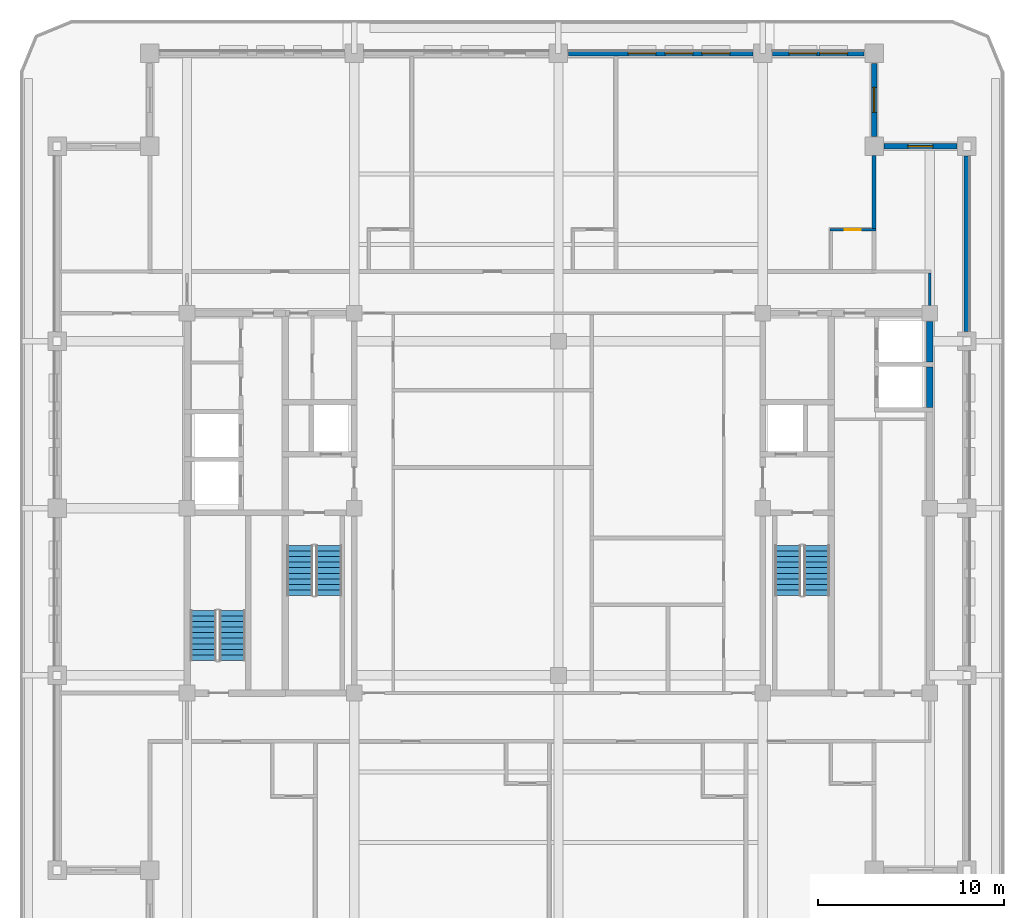
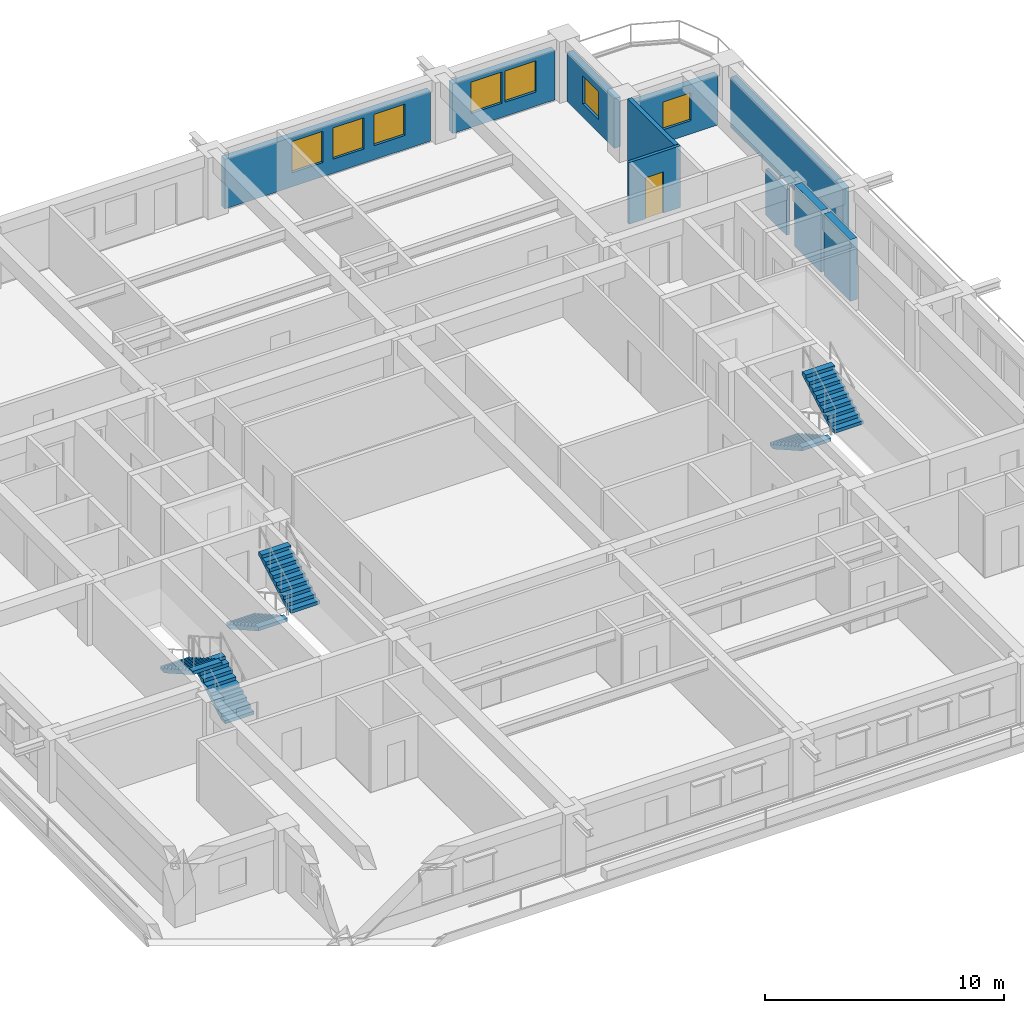
# One storey, part 7 of 14: 10 walls, 7 windows, 6 stair flights, 1 door, 8 openings, 3 elements without a shape of their own.
"""IFC4 building model written with IfcOpenShell, lengths in metres."""

from ifc_helpers import new_model, si_unit, direction, frame, frame_2d, origin, place, context, subcontext, project, spatial, polyline, rectangle, outline, extrude, material, layer, layer_set, type_object, element, fill, aggregate, save


model = new_model("IFC4")

# Units and contexts
model_context = context("Model", 3, precision=1e-05, world=origin(), true_north=direction((0.0, 1.0)))
body_context = subcontext(model_context, "Body", "Model", "MODEL_VIEW")
ifc_project = project(units=[si_unit("LENGTHUNIT", "METRE"), si_unit("AREAUNIT", "SQUARE_METRE"), si_unit("VOLUMEUNIT", "CUBIC_METRE"), si_unit("PLANEANGLEUNIT", "RADIAN"), si_unit("MASSUNIT", "GRAM", prefix="KILO")], contexts=[model_context])

# Site, building, storey
site_placement = place(None, origin())
site = spatial("IfcSite", under=ifc_project, at=site_placement, CompositionType="ELEMENT")
building_placement = place(site_placement, origin())
building = spatial("IfcBuilding", under=site, at=building_placement, Name="Zulmaris Gate Convention Tower", CompositionType="ELEMENT")
storey_placement = place(building_placement, frame((0.0, 0.0, 198.260009765625)))
storey = spatial("IfcBuildingStorey", under=building, at=storey_placement, Name="L51", CompositionType="ELEMENT", Elevation=198.260009765625)

# Walls
ifc_material_1 = material(Name="Concrete C55/67", Category="concrete")
ifc_layer_1 = layer(ifc_material_1, 0.35009765625, Name="Concrete C55/67")
ifc_layer_set_1 = layer_set([ifc_layer_1], Name="Concrete C55/67")
wall_type_1 = type_object("IfcWallType", Name="CORE-350", PredefinedType="SHEAR", material=ifc_layer_set_1)
wall_1_placement = place(storey_placement, frame((20.0, 5.427001953125, 0.0), z_axis=(0.0, 0.0, 1.0), x_axis=(0.0, 1.0, 0.0)))
element("IfcWall", 1, at=wall_1_placement, inside=storey, type_object=wall_type_1, Name="WL-L51-071", PredefinedType="SHEAR", context=body_context, shape_type="SweptSolid", body=[
    extrude(rectangle(XDim=2.196044921875, YDim=0.35009765625, at=frame_2d((1.09814453125, 0.0))), origin(), (0.0, 0.0, 1.0), 3.14990234375),
])
wall_2_placement = place(storey_placement, frame((20.0, 7.876953125, 0.0), z_axis=(0.0, 0.0, 1.0), x_axis=(0.0, 1.0, 0.0)))
element("IfcWall", 2, at=wall_2_placement, inside=storey, type_object=wall_type_1, Name="WL-L51-072", PredefinedType="SHEAR", context=body_context, shape_type="SweptSolid", body=[
    extrude(rectangle(XDim=2.194091796875, YDim=0.35009765625, at=frame_2d((1.09716796875, 0.0))), origin(), (0.0, 0.0, 1.0), 3.14990234375),
])

# Wall, opening, door
ifc_material_2 = material(Name="Gypsum Metal Stud Partition")
ifc_layer_2 = layer(ifc_material_2, 0.14990234375, Name="Gypsum Metal Stud Partition")
ifc_layer_set_2 = layer_set([ifc_layer_2], Name="Gypsum Metal Stud Partition")
wall_type_2 = type_object("IfcWallType", Name="PART-150", PredefinedType="PARTITIONING", material=ifc_layer_set_2)
wall_3_placement = place(storey_placement, frame((14.625, 15.0, 0.0), z_axis=(0.0, 0.0, 1.0), x_axis=(1.0, 0.0, 0.0)))
wall_3 = element("IfcWall", 3, at=wall_3_placement, inside=storey, type_object=wall_type_2, Name="WL-L51-040", PredefinedType="PARTITIONING", context=body_context, shape_type="SweptSolid", body=[
    extrude(rectangle(XDim=2.47509765625, YDim=0.14990234375, at=frame_2d((1.237548828125, 0.0))), origin(), (0.0, 0.0, 1.0), 3.14990234375),
])
opening_1_placement = place(wall_3_placement, frame((0.800048828125, 0.0, 0.0)))
opening_1 = element("IfcOpeningElement", 4, at=opening_1_placement, cuts=wall_3, Name="Opening D-17", PredefinedType="OPENING", context=body_context, shape_type="SweptSolid", body=[
    extrude(rectangle(XDim=0.85009765625, YDim=2.10009765625, at=frame_2d((0.425048828125, 1.050048828125))), frame((0.0, 0.0849609375, 0.0), z_axis=(0.0, -1.0, 0.0), x_axis=(1.0, 0.0, 0.0)), (0.0, 0.0, 1.0), 0.169921875),
])
ifc_material_3 = material(Name="Moisture-Resistant Hardwood Timber", Category="wood")
door_type = type_object("IfcDoorType", Name="DR-850", OperationType="NOTDEFINED", PredefinedType="DOOR", material=ifc_material_3)
door_placement = place(opening_1_placement, origin())
door = element("IfcDoor", 5, at=door_placement, inside=storey, type_object=door_type, Name="L51 En-Suite Door 30", OperationType="SINGLE_SWING_LEFT", OverallHeight=2.10009765625, OverallWidth=0.85009765625, PredefinedType="DOOR", context=body_context, shape_type="SweptSolid", body=[
    extrude(rectangle(XDim=0.85009765625, YDim=2.10009765625, at=frame_2d((0.425048828125, 1.050048828125))), frame((0.0, 0.02490234375, 0.0), z_axis=(0.0, -1.0, 0.0), x_axis=(1.0, 0.0, 0.0)), (0.0, 0.0, 1.0), 0.050048828125),
])
fill(opening_1, door)

# Walls
wall_4_placement = place(storey_placement, frame((20.0, 10.930908203125, 0.0), z_axis=(0.0, 0.0, 1.0), x_axis=(0.0, 1.0, 0.0)))
element("IfcWall", 6, at=wall_4_placement, inside=storey, type_object=wall_type_2, Name="WL-L51-115", PredefinedType="PARTITIONING", context=body_context, shape_type="SweptSolid", body=[
    extrude(rectangle(XDim=1.7412109375, YDim=0.14990234375, at=frame_2d((0.87060546875, 0.0))), origin(), (0.0, 0.0, 1.0), 2.341796875),
])
ifc_material_4 = material(Name="Autoclaved Aerated Concrete Block and Plasterboard", Category="concrete")
ifc_layer_3 = layer(ifc_material_4, 0.199951171875, Name="Autoclaved Aerated Concrete Block and Plasterboard")
ifc_layer_set_3 = layer_set([ifc_layer_3], Name="Autoclaved Aerated Concrete Block and Plasterboard")
wall_type_3 = type_object("IfcWallType", Name="PART-200", PredefinedType="PARTITIONING", material=ifc_layer_set_3)
wall_5_placement = place(storey_placement, frame((17.0, 15.077880859375, 0.0), z_axis=(0.0, 0.0, 1.0), x_axis=(0.0, 1.0, 0.0)))
element("IfcWall", 7, at=wall_5_placement, inside=storey, type_object=wall_type_3, Name="WL-L51-112", PredefinedType="PARTITIONING", context=body_context, shape_type="SweptSolid", body=[
    extrude(rectangle(XDim=3.916015625, YDim=0.199951171875, at=frame_2d((1.9580078125, 0.0))), origin(), (0.0, 0.0, 1.0), 3.14990234375),
])

# Wall, opening, window
ifc_material_5 = material(Name="Precast concrete C40/50", Category="concrete")
ifc_layer_4 = layer(ifc_material_5, 0.300048828125, Name="Precast concrete C40/50")
ifc_layer_set_4 = layer_set([ifc_layer_4], Name="Precast concrete C40/50")
wall_type_4 = type_object("IfcWallType", Name="PRECAST-PIER-300", PredefinedType="STANDARD", material=ifc_layer_set_4)
wall_6_placement = place(storey_placement, frame((21.469970703125, 19.5, 0.0), z_axis=(0.0, 0.0, 1.0), x_axis=(-1.0, 0.0, 0.0)))
wall_6 = element("IfcWall", 8, at=wall_6_placement, inside=storey, type_object=wall_type_4, Name="EW-L51-NOTCH-NE1_0", PredefinedType="STANDARD", context=body_context, shape_type="SweptSolid", body=[
    extrude(rectangle(XDim=3.93994140625, YDim=0.300048828125, at=frame_2d((1.969970703125, 0.0))), origin(), (0.0, 0.0, 1.0), 2.5419921875),
])
opening_2_placement = place(wall_6_placement, frame((1.294921875, 0.0, 0.679931640625)))
opening_2 = element("IfcOpeningElement", 9, at=opening_2_placement, cuts=wall_6, Name="Opening W-10", PredefinedType="OPENING", context=body_context, shape_type="SweptSolid", body=[
    extrude(rectangle(XDim=1.35009765625, YDim=1.419921875, at=frame_2d((0.675048828125, 0.7099609375))), frame((0.0, 0.16015625, 0.0), z_axis=(0.0, -1.0, 0.0), x_axis=(1.0, 0.0, 0.0)), (0.0, 0.0, 1.0), 0.320068359375),
])
ifc_material_6 = material(Name="Low-E Laminated Double Glazing in Aluminium Frame", Category="aluminium")
window_type_1 = type_object("IfcWindowType", Name="WIN-1350x2000", PartitioningType="SINGLE_PANEL", PredefinedType="WINDOW", material=ifc_material_6)
window_1_placement = place(opening_2_placement, origin())
window_1 = element("IfcWindow", 10, at=window_1_placement, inside=storey, type_object=window_type_1, Name="WN-EW-L51-NOTCH-NE1_0", OverallHeight=1.419921875, OverallWidth=1.35009765625, PartitioningType="SINGLE_PANEL", PredefinedType="WINDOW", context=body_context, shape_type="SweptSolid", body=[
    extrude(rectangle(XDim=1.35009765625, YDim=1.419921875, at=frame_2d((0.675048828125, 0.7099609375))), frame((0.0, 0.030029296875, 0.0), z_axis=(0.0, -1.0, 0.0), x_axis=(1.0, 0.0, 0.0)), (0.0, 0.0, 1.0), 0.06005859375),
])
fill(opening_2, window_1)

wall_7_placement = place(storey_placement, frame((17.0, 20.030029296875, 0.0), z_axis=(0.0, 0.0, 1.0), x_axis=(0.0, 1.0, 0.0)))
wall_7 = element("IfcWall", 11, at=wall_7_placement, inside=storey, type_object=wall_type_4, Name="EW-L51-NOTCH-NE2_0", PredefinedType="STANDARD", context=body_context, shape_type="SweptSolid", body=[
    extrude(rectangle(XDim=3.93994140625, YDim=0.300048828125, at=frame_2d((1.969970703125, 0.0))), origin(), (0.0, 0.0, 1.0), 2.5419921875),
])
opening_3_placement = place(wall_7_placement, frame((1.294921875, 0.0, 0.679931640625)))
opening_3 = element("IfcOpeningElement", 12, at=opening_3_placement, cuts=wall_7, Name="Opening W-10", PredefinedType="OPENING", context=body_context, shape_type="SweptSolid", body=[
    extrude(rectangle(XDim=1.35009765625, YDim=1.419921875, at=frame_2d((0.675048828125, 0.7099609375))), frame((0.0, 0.16015625, 0.0), z_axis=(0.0, -1.0, 0.0), x_axis=(1.0, 0.0, 0.0)), (0.0, 0.0, 1.0), 0.320068359375),
])
window_2_placement = place(opening_3_placement, origin())
window_2 = element("IfcWindow", 13, at=window_2_placement, inside=storey, type_object=window_type_1, Name="WN-EW-L51-NOTCH-NE2_0", OverallHeight=1.419921875, OverallWidth=1.35009765625, PartitioningType="SINGLE_PANEL", PredefinedType="WINDOW", context=body_context, shape_type="SweptSolid", body=[
    extrude(rectangle(XDim=1.35009765625, YDim=1.419921875, at=frame_2d((0.675048828125, 0.7099609375))), frame((0.0, 0.030029296875, 0.0), z_axis=(0.0, -1.0, 0.0), x_axis=(1.0, 0.0, 0.0)), (0.0, 0.0, 1.0), 0.06005859375),
])
fill(opening_3, window_2)

# Wall, openings, windows
wall_8_placement = place(storey_placement, frame((10.469970703125, 24.5, 0.0), z_axis=(0.0, 0.0, 1.0), x_axis=(-1.0, 0.0, 0.0)))
wall_8 = element("IfcWall", 14, at=wall_8_placement, inside=storey, type_object=wall_type_4, Name="EW-L51-N-2_0", PredefinedType="STANDARD", context=body_context, shape_type="SweptSolid", body=[
    extrude(rectangle(XDim=9.93994140625, YDim=0.300048828125, at=frame_2d((4.969970703125, 0.0))), origin(), (0.0, 0.0, 1.0), 2.5419921875),
])
opening_4_placement = place(wall_8_placement, frame((1.238037109375, 0.0, 0.719970703125)))
opening_4 = element("IfcOpeningElement", 15, at=opening_4_placement, cuts=wall_8, Name="Opening W-03", PredefinedType="OPENING", context=body_context, shape_type="SweptSolid", body=[
    extrude(rectangle(XDim=1.5, YDim=1.60009765625, at=frame_2d((0.75, 0.800048828125))), frame((0.0, 0.16015625, 0.0), z_axis=(0.0, -1.0, 0.0), x_axis=(1.0, 0.0, 0.0)), (0.0, 0.0, 1.0), 0.320068359375),
])
opening_5_placement = place(wall_8_placement, frame((3.22607421875, 0.0, 0.719970703125)))
opening_5 = element("IfcOpeningElement", 16, at=opening_5_placement, cuts=wall_8, Name="Opening W-03", PredefinedType="OPENING", context=body_context, shape_type="SweptSolid", body=[
    extrude(rectangle(XDim=1.5, YDim=1.60009765625, at=frame_2d((0.75, 0.800048828125))), frame((0.0, 0.16015625, 0.0), z_axis=(0.0, -1.0, 0.0), x_axis=(1.0, 0.0, 0.0)), (0.0, 0.0, 1.0), 0.320068359375),
])
opening_6_placement = place(wall_8_placement, frame((5.214111328125, 0.0, 0.719970703125)))
opening_6 = element("IfcOpeningElement", 17, at=opening_6_placement, cuts=wall_8, Name="Opening W-03", PredefinedType="OPENING", context=body_context, shape_type="SweptSolid", body=[
    extrude(rectangle(XDim=1.5, YDim=1.60009765625, at=frame_2d((0.75, 0.800048828125))), frame((0.0, 0.16015625, 0.0), z_axis=(0.0, -1.0, 0.0), x_axis=(1.0, 0.0, 0.0)), (0.0, 0.0, 1.0), 0.320068359375),
])
window_type_2 = type_object("IfcWindowType", Name="WIN-1500x2100", PartitioningType="SINGLE_PANEL", PredefinedType="WINDOW", material=ifc_material_6)
window_3_placement = place(opening_4_placement, origin())
window_3 = element("IfcWindow", 18, at=window_3_placement, inside=storey, type_object=window_type_2, Name="WN-EW-L51-N-2_0-1", OverallHeight=1.60009765625, OverallWidth=1.5, PartitioningType="SINGLE_PANEL", PredefinedType="WINDOW", context=body_context, shape_type="SweptSolid", body=[
    extrude(rectangle(XDim=1.5, YDim=1.60009765625, at=frame_2d((0.75, 0.800048828125))), frame((0.0, 0.030029296875, 0.0), z_axis=(0.0, -1.0, 0.0), x_axis=(1.0, 0.0, 0.0)), (0.0, 0.0, 1.0), 0.06005859375),
])
fill(opening_4, window_3)
window_4_placement = place(opening_5_placement, origin())
window_4 = element("IfcWindow", 19, at=window_4_placement, inside=storey, type_object=window_type_2, Name="WN-EW-L51-N-2_0-2", OverallHeight=1.60009765625, OverallWidth=1.5, PartitioningType="SINGLE_PANEL", PredefinedType="WINDOW", context=body_context, shape_type="SweptSolid", body=[
    extrude(rectangle(XDim=1.5, YDim=1.60009765625, at=frame_2d((0.75, 0.800048828125))), frame((0.0, 0.030029296875, 0.0), z_axis=(0.0, -1.0, 0.0), x_axis=(1.0, 0.0, 0.0)), (0.0, 0.0, 1.0), 0.06005859375),
])
fill(opening_5, window_4)
window_5_placement = place(opening_6_placement, origin())
window_5 = element("IfcWindow", 20, at=window_5_placement, inside=storey, type_object=window_type_2, Name="WN-EW-L51-N-2_0-3", OverallHeight=1.60009765625, OverallWidth=1.5, PartitioningType="SINGLE_PANEL", PredefinedType="WINDOW", context=body_context, shape_type="SweptSolid", body=[
    extrude(rectangle(XDim=1.5, YDim=1.60009765625, at=frame_2d((0.75, 0.800048828125))), frame((0.0, 0.030029296875, 0.0), z_axis=(0.0, -1.0, 0.0), x_axis=(1.0, 0.0, 0.0)), (0.0, 0.0, 1.0), 0.06005859375),
])
fill(opening_6, window_5)

wall_9_placement = place(storey_placement, frame((16.469970703125, 24.5, 0.0), z_axis=(0.0, 0.0, 1.0), x_axis=(-1.0, 0.0, 0.0)))
wall_9 = element("IfcWall", 21, at=wall_9_placement, inside=storey, type_object=wall_type_4, Name="EW-L51-N-3_0", PredefinedType="STANDARD", context=body_context, shape_type="SweptSolid", body=[
    extrude(rectangle(XDim=4.93994140625, YDim=0.300048828125, at=frame_2d((2.469970703125, 0.0))), origin(), (0.0, 0.0, 1.0), 2.5419921875),
])
opening_7_placement = place(wall_9_placement, frame((0.89697265625, 0.0, 0.719970703125)))
opening_7 = element("IfcOpeningElement", 22, at=opening_7_placement, cuts=wall_9, Name="Opening W-03", PredefinedType="OPENING", context=body_context, shape_type="SweptSolid", body=[
    extrude(rectangle(XDim=1.5, YDim=1.60009765625, at=frame_2d((0.75, 0.800048828125))), frame((0.0, 0.16015625, 0.0), z_axis=(0.0, -1.0, 0.0), x_axis=(1.0, 0.0, 0.0)), (0.0, 0.0, 1.0), 0.320068359375),
])
opening_8_placement = place(wall_9_placement, frame((2.54296875, 0.0, 0.719970703125)))
opening_8 = element("IfcOpeningElement", 23, at=opening_8_placement, cuts=wall_9, Name="Opening W-03", PredefinedType="OPENING", context=body_context, shape_type="SweptSolid", body=[
    extrude(rectangle(XDim=1.5, YDim=1.60009765625, at=frame_2d((0.75, 0.800048828125))), frame((0.0, 0.16015625, 0.0), z_axis=(0.0, -1.0, 0.0), x_axis=(1.0, 0.0, 0.0)), (0.0, 0.0, 1.0), 0.320068359375),
])
window_6_placement = place(opening_7_placement, origin())
window_6 = element("IfcWindow", 24, at=window_6_placement, inside=storey, type_object=window_type_2, Name="WN-EW-L51-N-3_0-1", OverallHeight=1.60009765625, OverallWidth=1.5, PartitioningType="SINGLE_PANEL", PredefinedType="WINDOW", context=body_context, shape_type="SweptSolid", body=[
    extrude(rectangle(XDim=1.5, YDim=1.60009765625, at=frame_2d((0.75, 0.800048828125))), frame((0.0, 0.030029296875, 0.0), z_axis=(0.0, -1.0, 0.0), x_axis=(1.0, 0.0, 0.0)), (0.0, 0.0, 1.0), 0.06005859375),
])
fill(opening_7, window_6)
window_7_placement = place(opening_8_placement, origin())
window_7 = element("IfcWindow", 25, at=window_7_placement, inside=storey, type_object=window_type_2, Name="WN-EW-L51-N-3_0-2", OverallHeight=1.60009765625, OverallWidth=1.5, PartitioningType="SINGLE_PANEL", PredefinedType="WINDOW", context=body_context, shape_type="SweptSolid", body=[
    extrude(rectangle(XDim=1.5, YDim=1.60009765625, at=frame_2d((0.75, 0.800048828125))), frame((0.0, 0.030029296875, 0.0), z_axis=(0.0, -1.0, 0.0), x_axis=(1.0, 0.0, 0.0)), (0.0, 0.0, 1.0), 0.06005859375),
])
fill(opening_8, window_7)

# Wall
wall_10_placement = place(storey_placement, frame((22.0, 9.530029296875, 0.0), z_axis=(0.0, 0.0, 1.0), x_axis=(0.0, 1.0, 0.0)))
element("IfcWall", 26, at=wall_10_placement, inside=storey, type_object=wall_type_4, Name="EW-L51-E-3_0", PredefinedType="STANDARD", context=body_context, shape_type="SweptSolid", body=[
    extrude(rectangle(XDim=9.43994140625, YDim=0.300048828125, at=frame_2d((4.719970703125, 0.0))), origin(), (0.0, 0.0, 1.0), 2.5419921875),
])

# Stair, stair flights
ifc_material_7 = material(Name="Concrete C45/55", Category="concrete")
stair_type = type_object("IfcStairType", Name="ST-CORE-DOGLEG", PredefinedType="HALF_TURN_STAIR", material=ifc_material_7)
stair_1_placement = place(storey_placement, origin())
stair_1 = element("IfcStair", 27, at=stair_1_placement, inside=storey, type_object=stair_type, Name="L51 Core Exit Stair ST-1", PredefinedType="HALF_TURN_STAIR")
ifc_layer_5 = layer(ifc_material_7, 0.14990234375, Name="Concrete C45/55")
ifc_layer_set_5 = layer_set([ifc_layer_5], Name="Concrete C45/55")
stair_flight_type = type_object("IfcStairFlightType", Name="STF-RC150", PredefinedType="STRAIGHT", material=ifc_layer_set_5)
stair_flight_1_placement = place(storey_placement, frame((-13.919921875, -2.0, 0.0), z_axis=(0.0, 0.0, 1.0), x_axis=(0.0, -1.0, 0.0)))
stair_flight_1 = element("IfcStairFlight", 28, at=stair_flight_1_placement, type_object=stair_flight_type, Name="ST-1 flight 1", NumberOfRisers=10, NumberOfTreads=9, PredefinedType="STRAIGHT", RiserHeight=0.169995, TreadLength=0.3, context=body_context, shape_type="SweptSolid", body=[
    extrude(outline(polyline([(0.0, 0.0), (0.0, 0.169921875), (0.300048828125, 0.169921875), (0.300048828125, 0.340087890625), (0.60009765625, 0.340087890625), (0.60009765625, 0.510009765625), (0.89990234375, 0.510009765625), (0.89990234375, 0.679931640625), (1.199951171875, 0.679931640625), (1.199951171875, 0.849853515625), (1.5, 0.849853515625), (1.5, 1.02001953125), (1.800048828125, 1.02001953125), (1.800048828125, 1.18994140625), (2.10009765625, 1.18994140625), (2.10009765625, 1.35986328125), (2.39990234375, 1.35986328125), (2.39990234375, 1.530029296875), (2.699951171875, 1.530029296875), (2.699951171875, 1.699951171875), (2.699951171875, 1.357666015625), (0.303955078125, 0.0), (0.0, 0.0)])), frame((0.0, 0.699951171875, 0.0), z_axis=(0.0, -1.0, 0.0), x_axis=(1.0, 0.0, 0.0)), (0.0, 0.0, 1.0), 1.39990234375),
])
stair_flight_2_placement = place(storey_placement, frame((-12.360107421875, -4.699951171875, 1.699951171875), z_axis=(0.0, 0.0, 1.0), x_axis=(0.0, 1.0, 0.0)))
stair_flight_2 = element("IfcStairFlight", 29, at=stair_flight_2_placement, type_object=stair_flight_type, Name="ST-1 flight 2", NumberOfRisers=10, NumberOfTreads=9, PredefinedType="STRAIGHT", RiserHeight=0.169995, TreadLength=0.3, context=body_context, shape_type="SweptSolid", body=[
    extrude(outline(polyline([(0.0, 0.0), (0.0, 0.169921875), (0.300048828125, 0.169921875), (0.300048828125, 0.340087890625), (0.60009765625, 0.340087890625), (0.60009765625, 0.510009765625), (0.89990234375, 0.510009765625), (0.89990234375, 0.679931640625), (1.199951171875, 0.679931640625), (1.199951171875, 0.849853515625), (1.5, 0.849853515625), (1.5, 1.02001953125), (1.800048828125, 1.02001953125), (1.800048828125, 1.18994140625), (2.10009765625, 1.18994140625), (2.10009765625, 1.35986328125), (2.39990234375, 1.35986328125), (2.39990234375, 1.530029296875), (2.699951171875, 1.530029296875), (2.699951171875, 1.699951171875), (2.699951171875, 1.357666015625), (0.303955078125, 0.0), (0.0, 0.0)])), frame((0.0, 0.699951171875, 0.0), z_axis=(0.0, -1.0, 0.0), x_axis=(1.0, 0.0, 0.0)), (0.0, 0.0, 1.0), 1.39990234375),
])
aggregate(stair_1, [stair_flight_1, stair_flight_2])

stair_2_placement = place(storey_placement, origin())
stair_2 = element("IfcStair", 30, at=stair_2_placement, inside=storey, type_object=stair_type, Name="L51 Core Exit Stair ST-2", PredefinedType="HALF_TURN_STAIR")
stair_flight_3_placement = place(storey_placement, frame((12.360107421875, -2.0, 0.0), z_axis=(0.0, 0.0, 1.0), x_axis=(0.0, -1.0, 0.0)))
stair_flight_3 = element("IfcStairFlight", 31, at=stair_flight_3_placement, type_object=stair_flight_type, Name="ST-2 flight 1", NumberOfRisers=10, NumberOfTreads=9, PredefinedType="STRAIGHT", RiserHeight=0.169995, TreadLength=0.3, context=body_context, shape_type="SweptSolid", body=[
    extrude(outline(polyline([(0.0, 0.0), (0.0, 0.169921875), (0.300048828125, 0.169921875), (0.300048828125, 0.340087890625), (0.60009765625, 0.340087890625), (0.60009765625, 0.510009765625), (0.89990234375, 0.510009765625), (0.89990234375, 0.679931640625), (1.199951171875, 0.679931640625), (1.199951171875, 0.849853515625), (1.5, 0.849853515625), (1.5, 1.02001953125), (1.800048828125, 1.02001953125), (1.800048828125, 1.18994140625), (2.10009765625, 1.18994140625), (2.10009765625, 1.35986328125), (2.39990234375, 1.35986328125), (2.39990234375, 1.530029296875), (2.699951171875, 1.530029296875), (2.699951171875, 1.699951171875), (2.699951171875, 1.357666015625), (0.303955078125, 0.0), (0.0, 0.0)])), frame((0.0, 0.699951171875, 0.0), z_axis=(0.0, -1.0, 0.0), x_axis=(1.0, 0.0, 0.0)), (0.0, 0.0, 1.0), 1.39990234375),
])
stair_flight_4_placement = place(storey_placement, frame((13.919921875, -4.699951171875, 1.699951171875), z_axis=(0.0, 0.0, 1.0), x_axis=(0.0, 1.0, 0.0)))
stair_flight_4 = element("IfcStairFlight", 32, at=stair_flight_4_placement, type_object=stair_flight_type, Name="ST-2 flight 2", NumberOfRisers=10, NumberOfTreads=9, PredefinedType="STRAIGHT", RiserHeight=0.169995, TreadLength=0.3, context=body_context, shape_type="SweptSolid", body=[
    extrude(outline(polyline([(0.0, 0.0), (0.0, 0.169921875), (0.300048828125, 0.169921875), (0.300048828125, 0.340087890625), (0.60009765625, 0.340087890625), (0.60009765625, 0.510009765625), (0.89990234375, 0.510009765625), (0.89990234375, 0.679931640625), (1.199951171875, 0.679931640625), (1.199951171875, 0.849853515625), (1.5, 0.849853515625), (1.5, 1.02001953125), (1.800048828125, 1.02001953125), (1.800048828125, 1.18994140625), (2.10009765625, 1.18994140625), (2.10009765625, 1.35986328125), (2.39990234375, 1.35986328125), (2.39990234375, 1.530029296875), (2.699951171875, 1.530029296875), (2.699951171875, 1.699951171875), (2.699951171875, 1.357666015625), (0.303955078125, 0.0), (0.0, 0.0)])), frame((0.0, 0.699951171875, 0.0), z_axis=(0.0, -1.0, 0.0), x_axis=(1.0, 0.0, 0.0)), (0.0, 0.0, 1.0), 1.39990234375),
])
aggregate(stair_2, [stair_flight_3, stair_flight_4])

stair_3_placement = place(storey_placement, origin())
stair_3 = element("IfcStair", 33, at=stair_3_placement, inside=storey, type_object=stair_type, Name="L51 Core Exit Stair ST-3", PredefinedType="HALF_TURN_STAIR")
stair_flight_5_placement = place(storey_placement, frame((-17.56005859375, -8.199951171875, 0.0), z_axis=(0.0, 0.0, 1.0), x_axis=(0.0, 1.0, 0.0)))
stair_flight_5 = element("IfcStairFlight", 34, at=stair_flight_5_placement, type_object=stair_flight_type, Name="ST-3 flight 1", NumberOfRisers=10, NumberOfTreads=9, PredefinedType="STRAIGHT", RiserHeight=0.169995, TreadLength=0.3, context=body_context, shape_type="SweptSolid", body=[
    extrude(outline(polyline([(0.0, 0.0), (0.0, 0.169921875), (0.300048828125, 0.169921875), (0.300048828125, 0.340087890625), (0.60009765625, 0.340087890625), (0.60009765625, 0.510009765625), (0.89990234375, 0.510009765625), (0.89990234375, 0.679931640625), (1.199951171875, 0.679931640625), (1.199951171875, 0.849853515625), (1.5, 0.849853515625), (1.5, 1.02001953125), (1.800048828125, 1.02001953125), (1.800048828125, 1.18994140625), (2.10009765625, 1.18994140625), (2.10009765625, 1.35986328125), (2.39990234375, 1.35986328125), (2.39990234375, 1.530029296875), (2.699951171875, 1.530029296875), (2.699951171875, 1.699951171875), (2.699951171875, 1.357666015625), (0.303955078125, 0.0), (0.0, 0.0)])), frame((0.0, 0.699951171875, 0.0), z_axis=(0.0, -1.0, 0.0), x_axis=(1.0, 0.0, 0.0)), (0.0, 0.0, 1.0), 1.39990234375),
])
stair_flight_6_placement = place(storey_placement, frame((-19.1201171875, -5.5, 1.699951171875), z_axis=(0.0, 0.0, 1.0), x_axis=(0.0, -1.0, 0.0)))
stair_flight_6 = element("IfcStairFlight", 35, at=stair_flight_6_placement, type_object=stair_flight_type, Name="ST-3 flight 2", NumberOfRisers=10, NumberOfTreads=9, PredefinedType="STRAIGHT", RiserHeight=0.169995, TreadLength=0.3, context=body_context, shape_type="SweptSolid", body=[
    extrude(outline(polyline([(0.0, 0.0), (0.0, 0.169921875), (0.300048828125, 0.169921875), (0.300048828125, 0.340087890625), (0.60009765625, 0.340087890625), (0.60009765625, 0.510009765625), (0.89990234375, 0.510009765625), (0.89990234375, 0.679931640625), (1.199951171875, 0.679931640625), (1.199951171875, 0.849853515625), (1.5, 0.849853515625), (1.5, 1.02001953125), (1.800048828125, 1.02001953125), (1.800048828125, 1.18994140625), (2.10009765625, 1.18994140625), (2.10009765625, 1.35986328125), (2.39990234375, 1.35986328125), (2.39990234375, 1.530029296875), (2.699951171875, 1.530029296875), (2.699951171875, 1.699951171875), (2.699951171875, 1.357666015625), (0.303955078125, 0.0), (0.0, 0.0)])), frame((0.0, 0.699951171875, 0.0), z_axis=(0.0, -1.0, 0.0), x_axis=(1.0, 0.0, 0.0)), (0.0, 0.0, 1.0), 1.39990234375),
])
aggregate(stair_3, [stair_flight_5, stair_flight_6])

save(model, "model.ifc")
